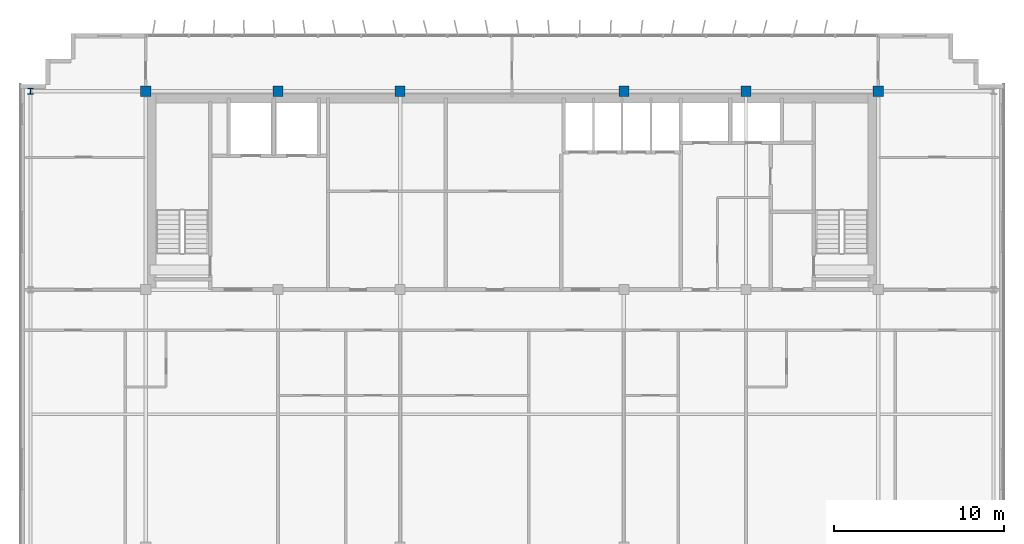
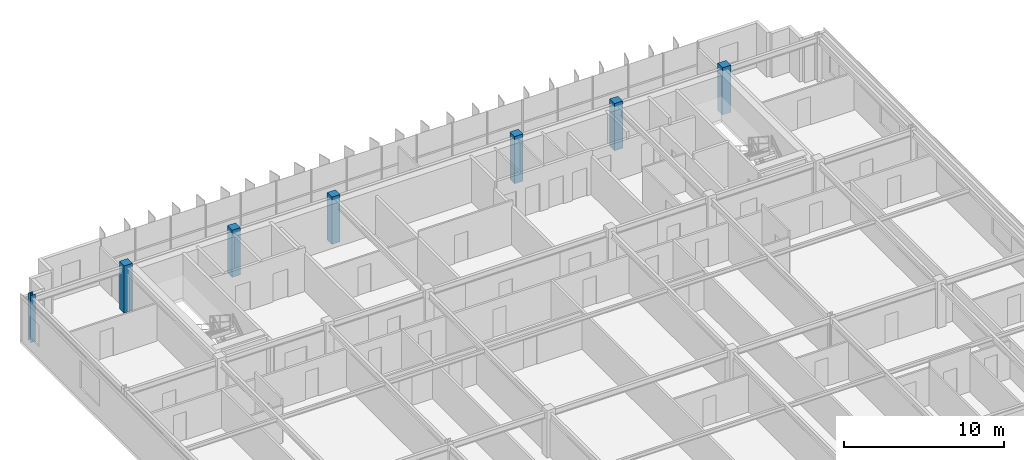
# One storey, part 3 of 22: 7 columns.
"""IFC4 building model written with IfcOpenShell, lengths in metres."""

from ifc_helpers import new_model, si_unit, direction, frame, origin, origin_2d, place, context, subcontext, project, spatial, rectangle, i_section, extrude, source, transform, mapped, material, material_profile, profile_set, type_object, element, save


model = new_model("IFC4")

# Units and contexts
model_context = context("Model", 3, precision=1e-05, world=origin(), true_north=direction((0.0, 1.0)))
body_context = subcontext(model_context, "Body", "Model", "MODEL_VIEW")
ifc_project = project(units=[si_unit("LENGTHUNIT", "METRE"), si_unit("AREAUNIT", "SQUARE_METRE"), si_unit("VOLUMEUNIT", "CUBIC_METRE"), si_unit("PLANEANGLEUNIT", "RADIAN"), si_unit("MASSUNIT", "GRAM", prefix="KILO")], contexts=[model_context])

# Site, building, storey
site_placement = place(None, origin())
site = spatial("IfcSite", under=ifc_project, at=site_placement, CompositionType="ELEMENT")
building_placement = place(site_placement, origin())
building = spatial("IfcBuilding", under=site, at=building_placement, Name="Trelvane Seafront Commons", CompositionType="ELEMENT")
storey_placement = place(building_placement, frame((0.0, 0.0, 281.10009765625)))
storey = spatial("IfcBuildingStorey", under=building, at=storey_placement, Name="L73", CompositionType="ELEMENT", Elevation=281.10009765625)

# Columns
ifc_material_1 = material(Name="Steel SM355 (S355)", Category="steel")
ifc_material_profile_1 = material_profile(ifc_material_1, i_section(OverallWidth=0.35009765625, OverallDepth=0.35009765625, WebThickness=0.01806640625, FlangeThickness=0.028076171875, at=origin_2d()), Name="HD-350x350x18x28")
ifc_profile_set_1 = profile_set([ifc_material_profile_1], Name="Steel SM355 (S355)")
column_type_1 = type_object("IfcColumnType", Name="STR-COL-HD350", PredefinedType="COLUMN", material=ifc_profile_set_1)
shared_shape_1 = source(origin(), body_context, "Body", "SweptSolid", [
    extrude(i_section(OverallWidth=0.35009765625, OverallDepth=0.35009765625, WebThickness=0.01806640625, FlangeThickness=0.028076171875, at=origin_2d()), origin(), (0.0, 0.0, 1.0), 3.599853515625),
])
column_placement = place(storey_placement, frame((8.800048828125, 45.10009765625, 0.0), z_axis=(0.0, 0.0, 1.0), x_axis=(1.0, 0.0, 0.0)))
element("IfcColumn", 1, at=column_placement, inside=storey, type_object=column_type_1, Name="L73 Column TC-CN8.8", PredefinedType="COLUMN", context=body_context, shape_type="MappedRepresentation", body=[
    mapped(shared_shape_1, transform((0.0, 0.0, 0.0), x_axis=(1.0, 0.0, 0.0), y_axis=(0.0, 1.0, 0.0), z_axis=(0.0, 0.0, 1.0), scale=1.0)),
])
ifc_material_2 = material(Name="Concrete C50/60", Category="concrete")
ifc_material_profile_2 = material_profile(ifc_material_2, rectangle(XDim=0.60009765625, YDim=0.60009765625, at=origin_2d()), Name="RC-600x600")
ifc_profile_set_2 = profile_set([ifc_material_profile_2], Name="Concrete C50/60")
column_type_2 = type_object("IfcColumnType", Name="STR-COL-RC600", PredefinedType="COLUMN", material=ifc_profile_set_2)
shared_shape_2 = source(origin(), body_context, "Body", "SweptSolid", [
    extrude(rectangle(XDim=0.60009765625, YDim=0.60009765625, at=origin_2d()), origin(), (0.0, 0.0, 1.0), 3.599853515625),
])
for number, where, z_axis, x_axis, name in (
    (2, (15.60009765625, 45.10009765625, 0.0), (0.0, 0.0, 1.0), (1.0, 0.0, 0.0), "L73 Column TC-CN15.6"),
    (3, (23.39990234375, 45.10009765625, 0.0), (0.0, 0.0, 1.0), (1.0, 0.0, 0.0), "L73 Column TC-CN23.4"),
    (4, (30.60009765625, 45.10009765625, 0.0), (0.0, 0.0, 1.0), (1.0, 0.0, 0.0), "L73 Column TC-CN30.6"),
    (5, (43.800048828125, 45.10009765625, 0.0), (0.0, 0.0, 1.0), (1.0, 0.0, 0.0), "L73 Column TC-CN43.8"),
    (6, (51.0, 45.10009765625, 0.0), (0.0, 0.0, 1.0), (1.0, 0.0, 0.0), "L73 Column TC-CN51.0"),
    (7, (58.800048828125, 45.10009765625, 0.0), (0.0, 0.0, 1.0), (1.0, 0.0, 0.0), "L73 Column TC-CN58.8"),
):
    element("IfcColumn", number, at=place(storey_placement, frame(where, z_axis=z_axis, x_axis=x_axis)), inside=storey, type_object=column_type_2, Name=name, PredefinedType="COLUMN", context=body_context, shape_type="MappedRepresentation", body=[
        mapped(shared_shape_2, transform((0.0, 0.0, 0.0), x_axis=(1.0, 0.0, 0.0), y_axis=(0.0, 1.0, 0.0), z_axis=(0.0, 0.0, 1.0), scale=1.0)),
    ])

save(model, "model.ifc")
